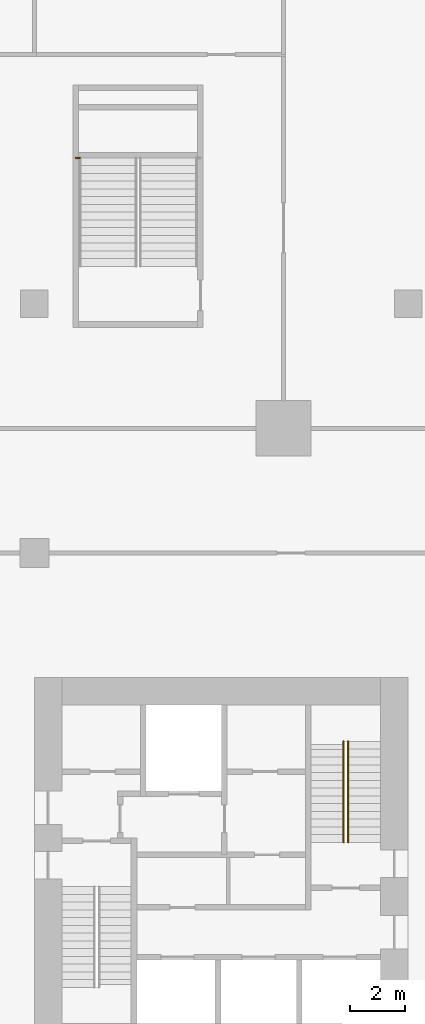
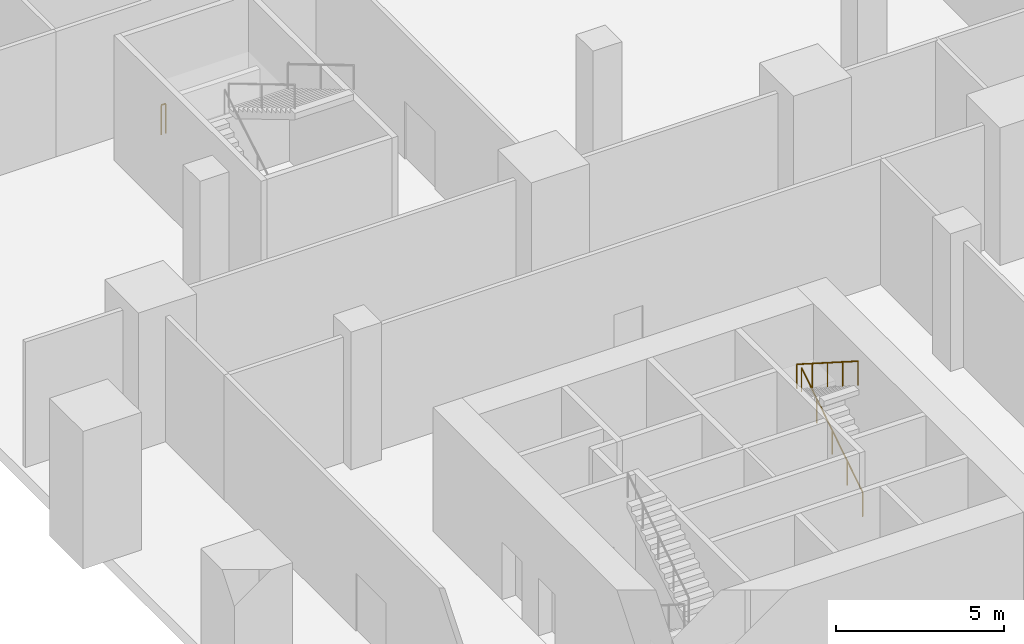
# One storey, part 46 of 49: 3 railings.
"""IFC4 building model written with IfcOpenShell, lengths in metres."""

from ifc_helpers import new_model, si_unit, direction, frame, origin, origin_2d, place, context, subcontext, project, spatial, circle, extrude, source, transform, mapped, material, type_object, element, save


model = new_model("IFC4")

# Units and contexts
model_context = context("Model", 3, precision=1e-05, world=origin(), true_north=direction((0.0, 1.0)))
body_context = subcontext(model_context, "Body", "Model", "MODEL_VIEW")
ifc_project = project(units=[si_unit("LENGTHUNIT", "METRE"), si_unit("AREAUNIT", "SQUARE_METRE"), si_unit("VOLUMEUNIT", "CUBIC_METRE"), si_unit("PLANEANGLEUNIT", "RADIAN"), si_unit("MASSUNIT", "GRAM", prefix="KILO")], contexts=[model_context])

# Site, building, storey
site_placement = place(None, origin())
site = spatial("IfcSite", under=ifc_project, at=site_placement, CompositionType="ELEMENT")
building_placement = place(site_placement, origin())
building = spatial("IfcBuilding", under=site, at=building_placement, Name="Altepetl Exchange Towers", CompositionType="ELEMENT")
storey_placement = place(building_placement, frame((0.0, 0.0, 11.5)))
storey = spatial("IfcBuildingStorey", under=building, at=storey_placement, Name="L02 Exchange podium", CompositionType="ELEMENT", Elevation=11.5)

# Railings
ifc_material_1 = material(Name="Steel", Category="steel")
railing_type_1 = type_object("IfcRailingType", Name="Stair handrail 50 steel tube", PredefinedType="HANDRAIL", material=ifc_material_1)
shared_shape_1 = source(origin(), body_context, "Body", "SweptSolid", [
    extrude(circle(Radius=0.02099609375, at=origin_2d()), origin(), (0.0, 0.0, 1.0), 0.851806640625),
])
railing_1_placement = place(storey_placement, frame((114.830078125, 43.550048828125, 0.1787109375)))
element("IfcRailing", 1, at=railing_1_placement, inside=storey, type_object=railing_type_1, Name="Stair handrail", PredefinedType="HANDRAIL", context=body_context, shape_type="SweptSolid", body=[
    extrude(circle(Radius=0.02392578125, at=origin_2d()), frame((0.0, 0.0, 0.8759765625), z_axis=(0.0, 0.843137146238, 0.537698570422), x_axis=(-1.0, 0.0, 0.0)), (0.0, 0.0, 1.0), 4.317138671875),
    mapped(shared_shape_1, transform((0.0, 0.0, 0.0))),
    mapped(shared_shape_1, transform((0.0, 0.909912109375, 0.580322265625))),
    mapped(shared_shape_1, transform((0.0, 1.81982421875, 1.16064453125))),
    mapped(shared_shape_1, transform((0.0, 2.72998046875, 1.740966796875))),
    mapped(shared_shape_1, transform((0.0, 3.639892578125, 2.3212890625))),
])
railing_2_placement = place(storey_placement, frame((114.669921875, 47.18994140625, 2.6787109375)))
element("IfcRailing", 2, at=railing_2_placement, inside=storey, type_object=railing_type_1, Name="Stair handrail", PredefinedType="HANDRAIL", context=body_context, shape_type="SweptSolid", body=[
    extrude(circle(Radius=0.02392578125, at=origin_2d()), frame((0.0, 0.0, 0.8759765625), z_axis=(0.0, -0.843137146238, 0.537698570422), x_axis=(1.0, 0.0, 0.0)), (0.0, 0.0, 1.0), 4.317138671875),
    mapped(shared_shape_1, transform((0.0, 0.0, 0.0))),
    mapped(shared_shape_1, transform((0.0, -0.909912109375, 0.580322265625))),
    mapped(shared_shape_1, transform((0.0, -1.81982421875, 1.16064453125))),
    mapped(shared_shape_1, transform((0.0, -2.72998046875, 1.740966796875))),
    mapped(shared_shape_1, transform((0.0, -3.639892578125, 2.3212890625))),
])
ifc_material_2 = material(Name="Laminated glass and steel", Category="steel")
railing_type_2 = type_object("IfcRailingType", Name="Hall gallery guard 1100", PredefinedType="GUARDRAIL", material=ifc_material_2)
shared_shape_2 = source(origin(), body_context, "Body", "SweptSolid", [
    extrude(circle(Radius=0.02001953125, at=origin_2d()), origin(), (0.0, 0.0, 1.0), 1.050048828125),
])
railing_3_placement = place(storey_placement, frame((105.0, 68.27001953125, 2.5)))
element("IfcRailing", 3, at=railing_3_placement, inside=storey, type_object=railing_type_2, Name="rail:P:L02:PY1land0", PredefinedType="GUARDRAIL", context=body_context, shape_type="SweptSolid", body=[
    extrude(circle(Radius=0.02490234375, at=origin_2d()), frame((0.0, 0.0, 1.0751953125), z_axis=(1.0, 0.0, 0.0), x_axis=(0.0, 1.0, 0.0)), (0.0, 0.0, 1.0), 0.14990234375),
    mapped(shared_shape_2, transform((0.0, 0.0, 0.0))),
    mapped(shared_shape_2, transform((0.14990234375, 0.0, 0.0))),
])

save(model, "model.ifc")
